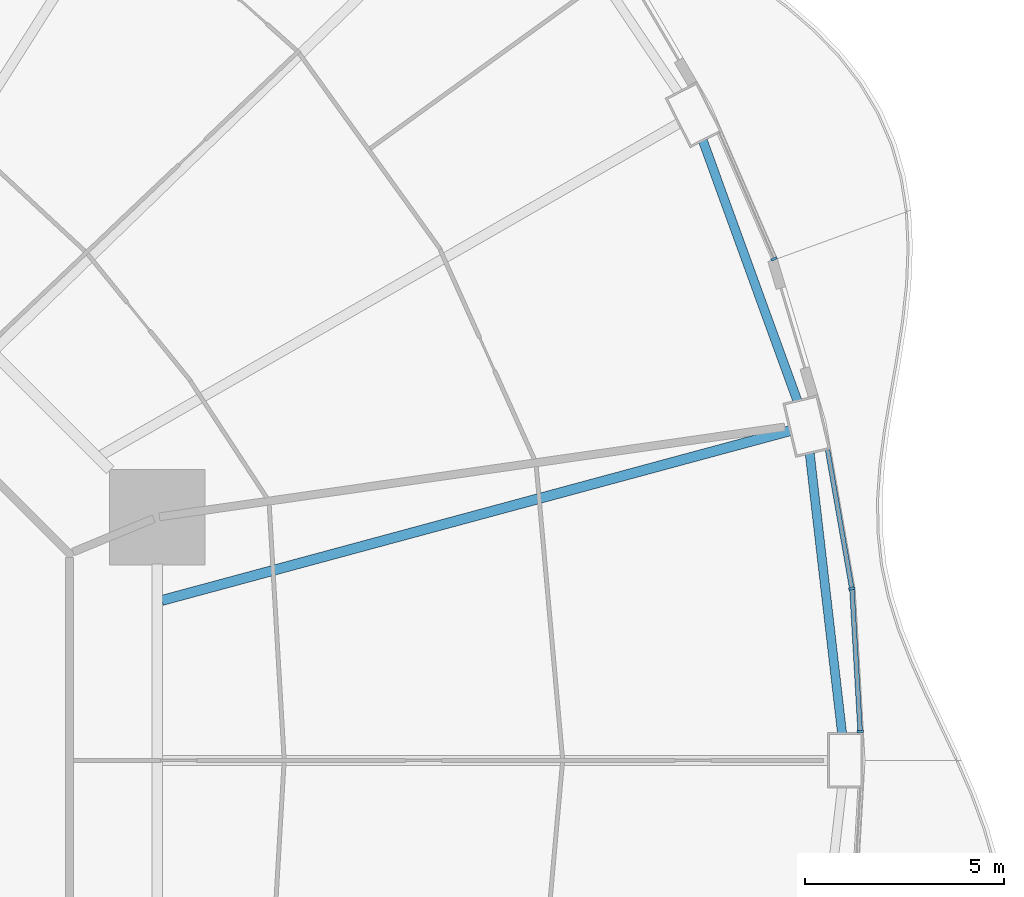
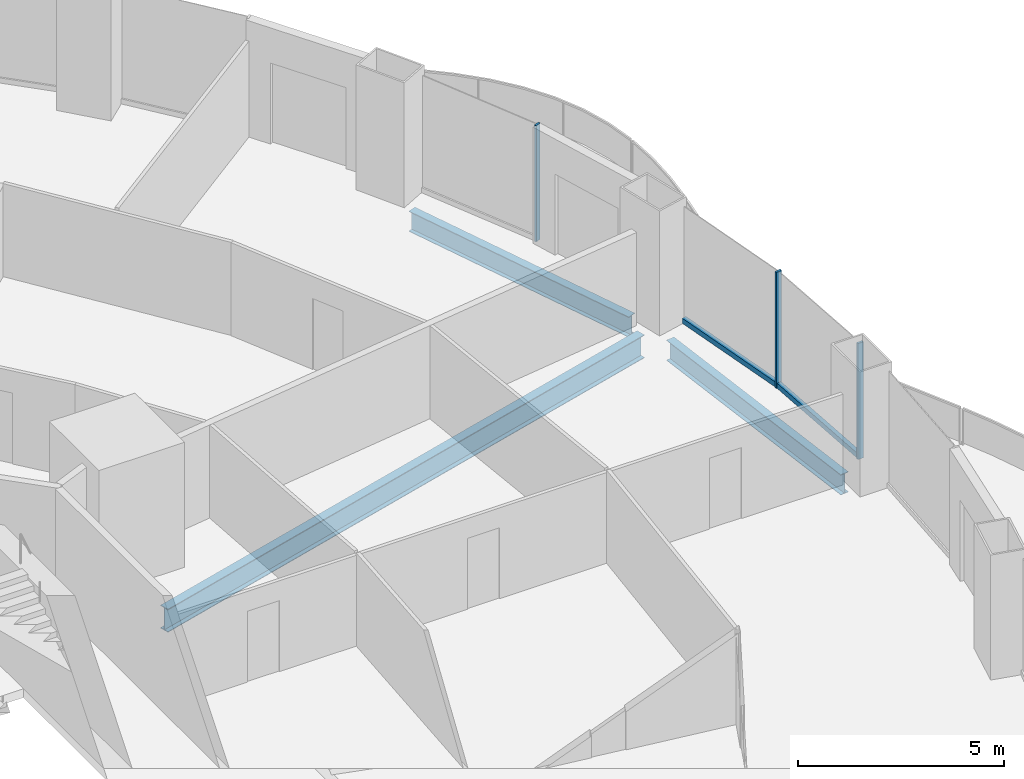
# One storey, part 9 of 22: 5 members, 3 beams, 3 elements without a shape of their own.
"""IFC4 building model written with IfcOpenShell, lengths in metres."""

from ifc_helpers import new_model, si_unit, direction, frame, origin, origin_2d, place, context, subcontext, project, spatial, rectangle, i_section, extrude, material, layer, layer_set, material_profile, profile_set, type_object, element, aggregate, save


model = new_model("IFC4")

# Units and contexts
model_context = context("Model", 3, precision=1e-05, world=origin(), true_north=direction((0.0, 1.0)))
body_context = subcontext(model_context, "Body", "Model", "MODEL_VIEW")
ifc_project = project(units=[si_unit("LENGTHUNIT", "METRE"), si_unit("AREAUNIT", "SQUARE_METRE"), si_unit("VOLUMEUNIT", "CUBIC_METRE"), si_unit("PLANEANGLEUNIT", "RADIAN"), si_unit("MASSUNIT", "GRAM", prefix="KILO")], contexts=[model_context])

# Site, building, storey
site_placement = place(None, origin())
site = spatial("IfcSite", under=ifc_project, at=site_placement, CompositionType="ELEMENT")
building_placement = place(site_placement, origin())
building = spatial("IfcBuilding", under=site, at=building_placement, Name="Nagisa Residences", CompositionType="ELEMENT")
storey_placement = place(building_placement, frame((0.0, 0.0, 38.10009765625)))
storey = spatial("IfcBuildingStorey", under=building, at=storey_placement, Name="L08", CompositionType="ELEMENT", Elevation=38.10009765625)

# Curtain wall, member
ifc_material_1 = material(Name="Concrete-coloured aluminium curtain wall system", Category="concrete")
ifc_layer = layer(ifc_material_1, 0.159912109375)
ifc_layer_set = layer_set([ifc_layer], Name="CW1 CURTAIN WALL")
curtain_wall_type = type_object("IfcCurtainWallType", Name="CW1 CURTAIN WALL", PredefinedType="NOTDEFINED", material=ifc_layer_set)
curtain_wall_1_placement = place(storey_placement, origin())
curtain_wall_1 = element("IfcCurtainWall", 1, at=curtain_wall_1_placement, inside=storey, type_object=curtain_wall_type, Name="cw:CW1:L08:00", PredefinedType="NOTDEFINED")
ifc_material_2 = material(Name="Concrete-coloured aluminium", Category="concrete")
ifc_material_profile_1 = material_profile(ifc_material_2, rectangle(XDim=0.159912109375, YDim=0.06005859375, at=origin_2d()), Name="CW1 MULLION 160x60")
ifc_profile_set_1 = profile_set([ifc_material_profile_1], Name="Concrete-coloured aluminium")
member_type_1 = type_object("IfcMemberType", Name="CW1 MULLION 160x60", PredefinedType="MULLION", material=ifc_profile_set_1)
member_1_placement = place(storey_placement, frame((32.478271484375, 0.72412109375, 0.0), z_axis=(0.0, 0.0, 1.0), x_axis=(-0.998345305184, -0.057503492216, 0.0)))
member_1 = element("IfcMember", 2, at=member_1_placement, type_object=member_type_1, Name="CW1 mullion", PredefinedType="MULLION", context=body_context, shape_type="SweptSolid", body=[
    extrude(rectangle(XDim=0.159912109375, YDim=0.06005859375, at=origin_2d()), origin(), (0.0, 0.0, 1.0), 3.43994140625),
])

curtain_wall_2_placement = place(storey_placement, origin())
curtain_wall_2 = element("IfcCurtainWall", 3, at=curtain_wall_2_placement, inside=storey, type_object=curtain_wall_type, Name="cw:CW1:L08:01", PredefinedType="NOTDEFINED")
member_2_placement = place(storey_placement, frame((32.267822265625, 4.3232421875, 0.0), z_axis=(0.0, 0.0, 1.0), x_axis=(-0.985063604377, -0.172190868898, 0.0)))
member_2 = element("IfcMember", 4, at=member_2_placement, type_object=member_type_1, Name="CW1 mullion", PredefinedType="MULLION", context=body_context, shape_type="SweptSolid", body=[
    extrude(rectangle(XDim=0.159912109375, YDim=0.06005859375, at=origin_2d()), origin(), (0.0, 0.0, 1.0), 3.43994140625),
])

curtain_wall_3_placement = place(storey_placement, origin())
curtain_wall_3 = element("IfcCurtainWall", 5, at=curtain_wall_3_placement, inside=storey, type_object=curtain_wall_type, Name="cw:CW1:L08:03", PredefinedType="NOTDEFINED")
member_3_placement = place(storey_placement, frame((30.30712890625, 12.624267578125, 0.0), z_axis=(0.0, 0.0, 1.0), x_axis=(-0.917543276295, -0.397635934147, 0.0)))
member_3 = element("IfcMember", 6, at=member_3_placement, type_object=member_type_1, Name="CW1 mullion", PredefinedType="MULLION", context=body_context, shape_type="SweptSolid", body=[
    extrude(rectangle(XDim=0.159912109375, YDim=0.06005859375, at=origin_2d()), origin(), (0.0, 0.0, 1.0), 3.43994140625),
])
aggregate(curtain_wall_3, [member_3])

# Member
ifc_material_3 = material(Name="Concrete-coloured aluminium", Category="concrete")
ifc_material_profile_2 = material_profile(ifc_material_3, rectangle(XDim=0.1201171875, YDim=0.14990234375, at=origin_2d()), Name="CW1 TRANSOM 120x150")
ifc_profile_set_2 = profile_set([ifc_material_profile_2], Name="Concrete-coloured aluminium")
member_type_2 = type_object("IfcMemberType", Name="CW1 TRANSOM 120x150", PredefinedType="USERDEFINED", material=ifc_profile_set_2)
member_4_placement = place(storey_placement, frame((32.47998046875, 0.6943359375, 0.074951171875), z_axis=(-0.057549926952, 0.998342629515, 0.0), x_axis=(-0.998342629515, -0.057549926952, 0.0)))
member_4 = element("IfcMember", 7, at=member_4_placement, type_object=member_type_2, Name="CW1 transom", ObjectType="TRANSOM", PredefinedType="USERDEFINED", context=body_context, shape_type="SweptSolid", body=[
    extrude(rectangle(XDim=0.1201171875, YDim=0.14990234375, at=origin_2d()), origin(), (0.0, 0.0, 1.0), 3.614501953125),
])

aggregate(curtain_wall_1, [member_1, member_4])

member_5_placement = place(storey_placement, frame((32.273193359375, 4.293701171875, 0.074951171875), z_axis=(-0.172228889385, 0.985056957572, 0.0), x_axis=(-0.985056957572, -0.172228889385, 0.0)))
member_5 = element("IfcMember", 8, at=member_5_placement, type_object=member_type_2, Name="CW1 transom", ObjectType="TRANSOM", PredefinedType="USERDEFINED", context=body_context, shape_type="SweptSolid", body=[
    extrude(rectangle(XDim=0.1201171875, YDim=0.14990234375, at=origin_2d()), origin(), (0.0, 0.0, 1.0), 3.59765625),
])

aggregate(curtain_wall_2, [member_2, member_5])

# Beams
ifc_material_4 = material(Name="Steel ASTM A572 Gr 50", Category="steel")
ifc_material_profile_3 = material_profile(ifc_material_4, i_section(OverallWidth=0.22802734375, OverallDepth=0.60302734375, WebThickness=0.010498046875, FlangeThickness=0.014892578125, at=origin_2d()), Name="W610x101")
ifc_profile_set_3 = profile_set([ifc_material_profile_3], Name="Steel ASTM A572 Gr 50")
beam_type_1 = type_object("IfcBeamType", Name="Perimeter ring beam W610x101", PredefinedType="BEAM", material=ifc_profile_set_3)
beam_1_placement = place(storey_placement, frame((32.021484375, 0.68017578125, -0.5615234375), z_axis=(-0.114673717321, 0.993403210462, 0.0), x_axis=(-0.993403210462, -0.114673717321, 0.0)))
element("IfcBeam", 9, at=beam_1_placement, inside=storey, type_object=beam_type_1, Name="beam:L08:pb01", PredefinedType="BEAM", context=body_context, shape_type="SweptSolid", body=[
    extrude(i_section(OverallWidth=0.22802734375, OverallDepth=0.60302734375, WebThickness=0.010498046875, FlangeThickness=0.014892578125, at=origin_2d()), origin(), (0.0, 0.0, 1.0), 7.09814453125),
])
beam_2_placement = place(storey_placement, frame((30.89501953125, 9.055419921875, -0.5615234375), z_axis=(-0.341411143183, 0.939914055279, 0.0), x_axis=(-0.939914055279, -0.341411143183, 0.0)))
element("IfcBeam", 10, at=beam_2_placement, inside=storey, type_object=beam_type_1, Name="beam:L08:pb02", PredefinedType="BEAM", context=body_context, shape_type="SweptSolid", body=[
    extrude(i_section(OverallWidth=0.22802734375, OverallDepth=0.60302734375, WebThickness=0.010498046875, FlangeThickness=0.014892578125, at=origin_2d()), origin(), (0.0, 0.0, 1.0), 6.96923828125),
])
ifc_material_5 = material(Name="Steel ASTM A572 Gr 50", Category="steel")
ifc_material_profile_4 = material_profile(ifc_material_5, i_section(OverallWidth=0.25390625, OverallDepth=0.68408203125, WebThickness=0.012451171875, FlangeThickness=0.018798828125, at=origin_2d()), Name="W690x140")
ifc_profile_set_4 = profile_set([ifc_material_profile_4], Name="Steel ASTM A572 Gr 50")
beam_type_2 = type_object("IfcBeamType", Name="Radial beam W690x140", PredefinedType="BEAM", material=ifc_profile_set_4)
beam_3_placement = place(storey_placement, frame((30.713623046875, 8.29931640625, -0.60205078125), z_axis=(-0.965375968847, -0.260862490162, 0.0), x_axis=(0.260862490162, -0.965375968847, 0.0)))
element("IfcBeam", 11, at=beam_3_placement, inside=storey, type_object=beam_type_2, Name="beam:L08:rb02", PredefinedType="BEAM", context=body_context, shape_type="SweptSolid", body=[
    extrude(i_section(OverallWidth=0.25390625, OverallDepth=0.68408203125, WebThickness=0.012451171875, FlangeThickness=0.018798828125, at=origin_2d()), origin(), (0.0, 0.0, 1.0), 16.3857421875),
])

save(model, "model.ifc")
